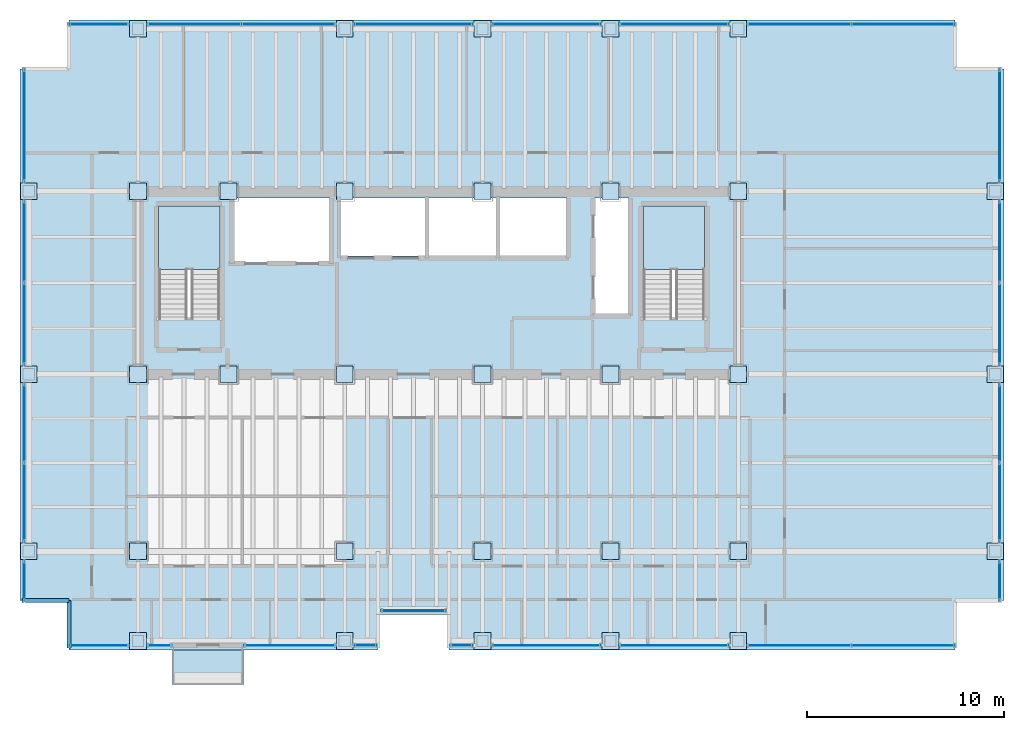
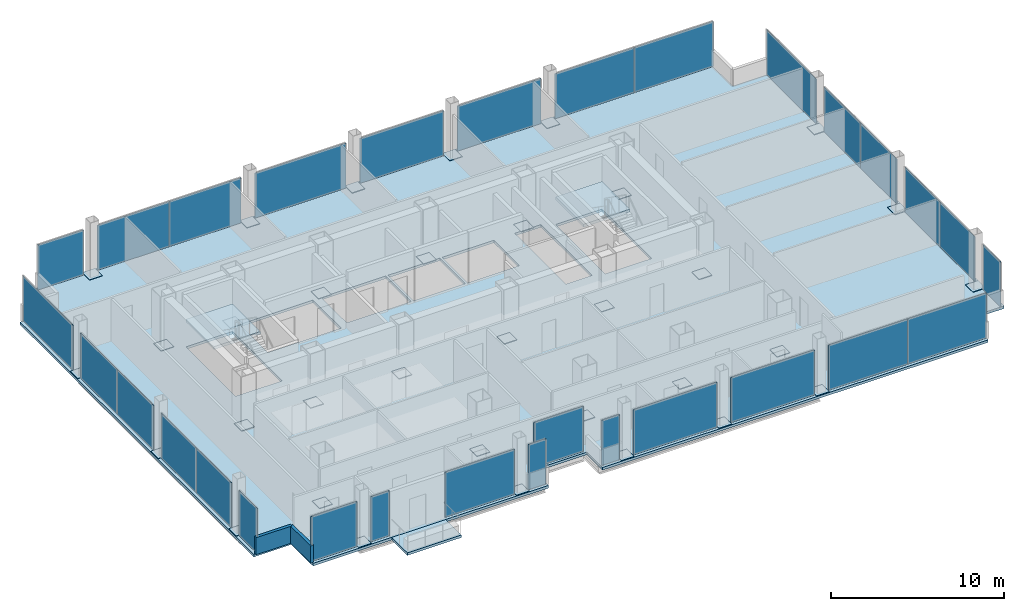
# One storey, part 16 of 20: 63 plates, 4 slabs, 2 walls, 7 openings, 25 elements without a shape of their own.
"""IFC4 building model written with IfcOpenShell, lengths in metres."""

from ifc_helpers import new_model, si_unit, direction, frame, frame_2d, origin, origin_2d, place, context, subcontext, project, spatial, polyline, rectangle, outline, extrude, material, layer, layer_set, type_object, element, aggregate, save


model = new_model("IFC4")

# Units and contexts
model_context = context("Model", 3, precision=1e-05, world=origin(), true_north=direction((0.0, 1.0)))
body_context = subcontext(model_context, "Body", "Model", "MODEL_VIEW")
ifc_project = project(units=[si_unit("LENGTHUNIT", "METRE"), si_unit("AREAUNIT", "SQUARE_METRE"), si_unit("VOLUMEUNIT", "CUBIC_METRE"), si_unit("PLANEANGLEUNIT", "RADIAN"), si_unit("MASSUNIT", "GRAM", prefix="KILO")], contexts=[model_context])

# Site, building, storey
site_placement = place(None, origin())
site = spatial("IfcSite", under=ifc_project, at=site_placement, CompositionType="ELEMENT")
building_placement = place(site_placement, origin())
building = spatial("IfcBuilding", under=site, at=building_placement, Name="Noeulbin Bourse Tower", CompositionType="ELEMENT")
storey_placement = place(building_placement, frame((0.0, 0.0, 73.300048828125)))
storey = spatial("IfcBuildingStorey", under=building, at=storey_placement, Name="L18", CompositionType="ELEMENT", Elevation=73.300048828125)

# Curtain wall, plate
ifc_material_1 = material(Name="Dark Solar-Control Double Glazing", Category="glass")
curtain_wall_type = type_object("IfcCurtainWallType", Name="CW-SYS-2", PredefinedType="NOTDEFINED", material=ifc_material_1)
curtain_wall_1_placement = place(storey_placement, origin())
curtain_wall_1 = element("IfcCurtainWall", 1, at=curtain_wall_1_placement, inside=storey, type_object=curtain_wall_type, Name="Unitised Curtain Wall CW-L18-SREC", PredefinedType="NOTDEFINED")
ifc_layer_1 = layer(ifc_material_1, 0.035888671875)
ifc_layer_set_1 = layer_set([ifc_layer_1], Name="Dark Solar-Control Double Glazing")
plate_type_1 = type_object("IfcPlateType", Name="CW-SYS-2-PNL", PredefinedType="CURTAIN_PANEL", material=ifc_layer_set_1)
plate_1_placement = place(storey_placement, frame((27.5, 16.97998046875, 0.0), z_axis=(0.0, 0.0, 1.0), x_axis=(1.0, 0.0, 0.0)))
plate_1 = element("IfcPlate", 2, at=plate_1_placement, type_object=plate_type_1, Name="Glazed Curtain Panel CW-L18-SREC-P00", PredefinedType="CURTAIN_PANEL", context=body_context, shape_type="SweptSolid", body=[
    extrude(rectangle(XDim=3.300048828125, YDim=0.035888671875, at=origin_2d()), origin(), (0.0, 0.0, 1.0), 3.179931640625),
])
aggregate(curtain_wall_1, [plate_1])

curtain_wall_2_placement = place(storey_placement, origin())
curtain_wall_2 = element("IfcCurtainWall", 3, at=curtain_wall_2_placement, inside=storey, type_object=curtain_wall_type, Name="Unitised Curtain Wall CW-L18-S1-S1", PredefinedType="NOTDEFINED")
plate_2_placement = place(storey_placement, frame((11.510009765625, 15.219970703125, 0.0), z_axis=(0.0, 0.0, 1.0), x_axis=(1.0, 0.0, 0.0)))
plate_2 = element("IfcPlate", 4, at=plate_2_placement, type_object=plate_type_1, Name="Glazed Curtain Panel CW-L18-S1-S1-P00", PredefinedType="CURTAIN_PANEL", context=body_context, shape_type="SweptSolid", body=[
    extrude(rectangle(XDim=3.06005859375, YDim=0.035888671875, at=origin_2d()), origin(), (0.0, 0.0, 1.0), 3.179931640625),
])
aggregate(curtain_wall_2, [plate_2])

curtain_wall_3_placement = place(storey_placement, origin())
curtain_wall_3 = element("IfcCurtainWall", 5, at=curtain_wall_3_placement, inside=storey, type_object=curtain_wall_type, Name="Unitised Curtain Wall CW-L18-S1-S2", PredefinedType="NOTDEFINED")
plate_3_placement = place(storey_placement, frame((14.580078125, 15.219970703125, 0.0), z_axis=(0.0, 0.0, 1.0), x_axis=(1.0, 0.0, 0.0)))
plate_3 = element("IfcPlate", 6, at=plate_3_placement, type_object=plate_type_1, Name="Glazed Curtain Panel CW-L18-S1-S2-P00", PredefinedType="CURTAIN_PANEL", context=body_context, shape_type="SweptSolid", body=[
    extrude(rectangle(XDim=1.239990234375, YDim=0.035888671875, at=origin_2d()), origin(), (0.0, 0.0, 1.0), 3.179931640625),
])
aggregate(curtain_wall_3, [plate_3])

curtain_wall_4_placement = place(storey_placement, origin())
curtain_wall_4 = element("IfcCurtainWall", 7, at=curtain_wall_4_placement, inside=storey, type_object=curtain_wall_type, Name="Unitised Curtain Wall CW-L18-S2-S1", PredefinedType="NOTDEFINED")
plate_4_placement = place(storey_placement, frame((21.219970703125, 15.219970703125, 0.0), z_axis=(0.0, 0.0, 1.0), x_axis=(1.0, 0.0, 0.0)))
plate_4 = element("IfcPlate", 8, at=plate_4_placement, type_object=plate_type_1, Name="Glazed Curtain Panel CW-L18-S2-S1-P00", PredefinedType="CURTAIN_PANEL", context=body_context, shape_type="SweptSolid", body=[
    extrude(rectangle(XDim=4.639892578125, YDim=0.035888671875, at=origin_2d()), origin(), (0.0, 0.0, 1.0), 3.179931640625),
])
aggregate(curtain_wall_4, [plate_4])

curtain_wall_5_placement = place(storey_placement, origin())
curtain_wall_5 = element("IfcCurtainWall", 9, at=curtain_wall_5_placement, inside=storey, type_object=curtain_wall_type, Name="Unitised Curtain Wall CW-L18-S2-S2", PredefinedType="NOTDEFINED")
plate_5_placement = place(storey_placement, frame((25.054931640625, 15.219970703125, 0.0), z_axis=(0.0, 0.0, 1.0), x_axis=(1.0, 0.0, 0.0)))
plate_5 = element("IfcPlate", 10, at=plate_5_placement, type_object=plate_type_1, Name="Glazed Curtain Panel CW-L18-S2-S2-P00", PredefinedType="CURTAIN_PANEL", context=body_context, shape_type="SweptSolid", body=[
    extrude(rectangle(XDim=1.18994140625, YDim=0.035888671875, at=origin_2d()), origin(), (0.0, 0.0, 1.0), 3.179931640625),
])
aggregate(curtain_wall_5, [plate_5])

curtain_wall_6_placement = place(storey_placement, origin())
curtain_wall_6 = element("IfcCurtainWall", 11, at=curtain_wall_6_placement, inside=storey, type_object=curtain_wall_type, Name="Unitised Curtain Wall CW-L18-S3-S1", PredefinedType="NOTDEFINED")
plate_6_placement = place(storey_placement, frame((29.945068359375, 15.219970703125, 0.0), z_axis=(0.0, 0.0, 1.0), x_axis=(1.0, 0.0, 0.0)))
plate_6 = element("IfcPlate", 12, at=plate_6_placement, type_object=plate_type_1, Name="Glazed Curtain Panel CW-L18-S3-S1-P00", PredefinedType="CURTAIN_PANEL", context=body_context, shape_type="SweptSolid", body=[
    extrude(rectangle(XDim=1.18994140625, YDim=0.035888671875, at=origin_2d()), origin(), (0.0, 0.0, 1.0), 3.179931640625),
])
aggregate(curtain_wall_6, [plate_6])

curtain_wall_7_placement = place(storey_placement, origin())
curtain_wall_7 = element("IfcCurtainWall", 13, at=curtain_wall_7_placement, inside=storey, type_object=curtain_wall_type, Name="Unitised Curtain Wall CW-L18-S3-S2", PredefinedType="NOTDEFINED")
plate_7_placement = place(storey_placement, frame((34.25, 15.219970703125, 0.0), z_axis=(0.0, 0.0, 1.0), x_axis=(1.0, 0.0, 0.0)))
plate_7 = element("IfcPlate", 14, at=plate_7_placement, type_object=plate_type_1, Name="Glazed Curtain Panel CW-L18-S3-S2-P00", PredefinedType="CURTAIN_PANEL", context=body_context, shape_type="SweptSolid", body=[
    extrude(rectangle(XDim=5.580078125, YDim=0.035888671875, at=origin_2d()), origin(), (0.0, 0.0, 1.0), 3.179931640625),
])
aggregate(curtain_wall_7, [plate_7])

curtain_wall_8_placement = place(storey_placement, origin())
curtain_wall_8 = element("IfcCurtainWall", 15, at=curtain_wall_8_placement, inside=storey, type_object=curtain_wall_type, Name="Unitised Curtain Wall CW-L18-S3-S3", PredefinedType="NOTDEFINED")
plate_8_placement = place(storey_placement, frame((40.75, 15.219970703125, 0.0), z_axis=(0.0, 0.0, 1.0), x_axis=(1.0, 0.0, 0.0)))
plate_8 = element("IfcPlate", 16, at=plate_8_placement, type_object=plate_type_1, Name="Glazed Curtain Panel CW-L18-S3-S3-P00", PredefinedType="CURTAIN_PANEL", context=body_context, shape_type="SweptSolid", body=[
    extrude(rectangle(XDim=5.580078125, YDim=0.035888671875, at=origin_2d()), origin(), (0.0, 0.0, 1.0), 3.179931640625),
])
aggregate(curtain_wall_8, [plate_8])

# Curtain wall, plates
curtain_wall_9_placement = place(storey_placement, origin())
curtain_wall_9 = element("IfcCurtainWall", 17, at=curtain_wall_9_placement, inside=storey, type_object=curtain_wall_type, Name="Unitised Curtain Wall CW-L18-S3-S4", PredefinedType="NOTDEFINED")
plate_9_placement = place(storey_placement, frame((47.10009765625, 15.219970703125, 0.0), z_axis=(0.0, 0.0, 1.0), x_axis=(1.0, 0.0, 0.0)))
plate_9 = element("IfcPlate", 18, at=plate_9_placement, type_object=plate_type_1, Name="Glazed Curtain Panel CW-L18-S3-S4-P00", PredefinedType="CURTAIN_PANEL", context=body_context, shape_type="SweptSolid", body=[
    extrude(rectangle(XDim=5.280029296875, YDim=0.035888671875, at=origin_2d()), origin(), (0.0, 0.0, 1.0), 3.179931640625),
])
plate_10_placement = place(storey_placement, frame((52.3798828125, 15.219970703125, 0.0), z_axis=(0.0, 0.0, 1.0), x_axis=(1.0, 0.0, 0.0)))
plate_10 = element("IfcPlate", 19, at=plate_10_placement, type_object=plate_type_1, Name="Glazed Curtain Panel CW-L18-S3-S4-P01", PredefinedType="CURTAIN_PANEL", context=body_context, shape_type="SweptSolid", body=[
    extrude(rectangle(XDim=5.280029296875, YDim=0.035888671875, at=origin_2d()), origin(), (0.0, 0.0, 1.0), 3.179931640625),
])
aggregate(curtain_wall_9, [plate_9, plate_10])

# Curtain wall, plate
curtain_wall_10_placement = place(storey_placement, origin())
curtain_wall_10 = element("IfcCurtainWall", 20, at=curtain_wall_10_placement, inside=storey, type_object=curtain_wall_type, Name="Unitised Curtain Wall CW-L18-N-S1", PredefinedType="NOTDEFINED")
plate_11_placement = place(storey_placement, frame((11.510009765625, 46.780029296875, 0.0), z_axis=(0.0, 0.0, 1.0), x_axis=(1.0, 0.0, 0.0)))
plate_11 = element("IfcPlate", 21, at=plate_11_placement, type_object=plate_type_1, Name="Glazed Curtain Panel CW-L18-N-S1-P00", PredefinedType="CURTAIN_PANEL", context=body_context, shape_type="SweptSolid", body=[
    extrude(rectangle(XDim=3.06005859375, YDim=0.035888671875, at=origin_2d()), origin(), (0.0, 0.0, 1.0), 3.179931640625),
])
aggregate(curtain_wall_10, [plate_11])

# Curtain wall, plates
curtain_wall_11_placement = place(storey_placement, origin())
curtain_wall_11 = element("IfcCurtainWall", 22, at=curtain_wall_11_placement, inside=storey, type_object=curtain_wall_type, Name="Unitised Curtain Wall CW-L18-N-S2", PredefinedType="NOTDEFINED")
plate_12_placement = place(storey_placement, frame((16.35498046875, 46.780029296875, 0.0), z_axis=(0.0, 0.0, 1.0), x_axis=(1.0, 0.0, 0.0)))
plate_12 = element("IfcPlate", 23, at=plate_12_placement, type_object=plate_type_1, Name="Glazed Curtain Panel CW-L18-N-S2-P00", PredefinedType="CURTAIN_PANEL", context=body_context, shape_type="SweptSolid", body=[
    extrude(rectangle(XDim=4.7900390625, YDim=0.035888671875, at=origin_2d()), origin(), (0.0, 0.0, 1.0), 3.179931640625),
])
plate_13_placement = place(storey_placement, frame((21.14501953125, 46.780029296875, 0.0), z_axis=(0.0, 0.0, 1.0), x_axis=(1.0, 0.0, 0.0)))
plate_13 = element("IfcPlate", 24, at=plate_13_placement, type_object=plate_type_1, Name="Glazed Curtain Panel CW-L18-N-S2-P01", PredefinedType="CURTAIN_PANEL", context=body_context, shape_type="SweptSolid", body=[
    extrude(rectangle(XDim=4.7900390625, YDim=0.035888671875, at=origin_2d()), origin(), (0.0, 0.0, 1.0), 3.179931640625),
])
aggregate(curtain_wall_11, [plate_12, plate_13])

# Curtain wall, plate
curtain_wall_12_placement = place(storey_placement, origin())
curtain_wall_12 = element("IfcCurtainWall", 25, at=curtain_wall_12_placement, inside=storey, type_object=curtain_wall_type, Name="Unitised Curtain Wall CW-L18-N-S3", PredefinedType="NOTDEFINED")
plate_14_placement = place(storey_placement, frame((27.5, 46.780029296875, 0.0), z_axis=(0.0, 0.0, 1.0), x_axis=(1.0, 0.0, 0.0)))
plate_14 = element("IfcPlate", 26, at=plate_14_placement, type_object=plate_type_1, Name="Glazed Curtain Panel CW-L18-N-S3-P00", PredefinedType="CURTAIN_PANEL", context=body_context, shape_type="SweptSolid", body=[
    extrude(rectangle(XDim=6.080078125, YDim=0.035888671875, at=origin_2d()), origin(), (0.0, 0.0, 1.0), 3.179931640625),
])
aggregate(curtain_wall_12, [plate_14])

curtain_wall_13_placement = place(storey_placement, origin())
curtain_wall_13 = element("IfcCurtainWall", 27, at=curtain_wall_13_placement, inside=storey, type_object=curtain_wall_type, Name="Unitised Curtain Wall CW-L18-N-S4", PredefinedType="NOTDEFINED")
plate_15_placement = place(storey_placement, frame((34.25, 46.780029296875, 0.0), z_axis=(0.0, 0.0, 1.0), x_axis=(1.0, 0.0, 0.0)))
plate_15 = element("IfcPlate", 28, at=plate_15_placement, type_object=plate_type_1, Name="Glazed Curtain Panel CW-L18-N-S4-P00", PredefinedType="CURTAIN_PANEL", context=body_context, shape_type="SweptSolid", body=[
    extrude(rectangle(XDim=5.580078125, YDim=0.035888671875, at=origin_2d()), origin(), (0.0, 0.0, 1.0), 3.179931640625),
])
aggregate(curtain_wall_13, [plate_15])

curtain_wall_14_placement = place(storey_placement, origin())
curtain_wall_14 = element("IfcCurtainWall", 29, at=curtain_wall_14_placement, inside=storey, type_object=curtain_wall_type, Name="Unitised Curtain Wall CW-L18-N-S5", PredefinedType="NOTDEFINED")
plate_16_placement = place(storey_placement, frame((40.75, 46.780029296875, 0.0), z_axis=(0.0, 0.0, 1.0), x_axis=(1.0, 0.0, 0.0)))
plate_16 = element("IfcPlate", 30, at=plate_16_placement, type_object=plate_type_1, Name="Glazed Curtain Panel CW-L18-N-S5-P00", PredefinedType="CURTAIN_PANEL", context=body_context, shape_type="SweptSolid", body=[
    extrude(rectangle(XDim=5.580078125, YDim=0.035888671875, at=origin_2d()), origin(), (0.0, 0.0, 1.0), 3.179931640625),
])
aggregate(curtain_wall_14, [plate_16])

# Curtain wall, plates
curtain_wall_15_placement = place(storey_placement, origin())
curtain_wall_15 = element("IfcCurtainWall", 31, at=curtain_wall_15_placement, inside=storey, type_object=curtain_wall_type, Name="Unitised Curtain Wall CW-L18-N-S6", PredefinedType="NOTDEFINED")
plate_17_placement = place(storey_placement, frame((47.10009765625, 46.780029296875, 0.0), z_axis=(0.0, 0.0, 1.0), x_axis=(1.0, 0.0, 0.0)))
plate_17 = element("IfcPlate", 32, at=plate_17_placement, type_object=plate_type_1, Name="Glazed Curtain Panel CW-L18-N-S6-P00", PredefinedType="CURTAIN_PANEL", context=body_context, shape_type="SweptSolid", body=[
    extrude(rectangle(XDim=5.280029296875, YDim=0.035888671875, at=origin_2d()), origin(), (0.0, 0.0, 1.0), 3.179931640625),
])
plate_18_placement = place(storey_placement, frame((52.3798828125, 46.780029296875, 0.0), z_axis=(0.0, 0.0, 1.0), x_axis=(1.0, 0.0, 0.0)))
plate_18 = element("IfcPlate", 33, at=plate_18_placement, type_object=plate_type_1, Name="Glazed Curtain Panel CW-L18-N-S6-P01", PredefinedType="CURTAIN_PANEL", context=body_context, shape_type="SweptSolid", body=[
    extrude(rectangle(XDim=5.280029296875, YDim=0.035888671875, at=origin_2d()), origin(), (0.0, 0.0, 1.0), 3.179931640625),
])
aggregate(curtain_wall_15, [plate_17, plate_18])

# Curtain wall, plate
curtain_wall_16_placement = place(storey_placement, origin())
curtain_wall_16 = element("IfcCurtainWall", 34, at=curtain_wall_16_placement, inside=storey, type_object=curtain_wall_type, Name="Unitised Curtain Wall CW-L18-W-S1", PredefinedType="NOTDEFINED")
plate_19_placement = place(storey_placement, frame((7.719970703125, 18.510009765625, 0.0), z_axis=(0.0, 0.0, 1.0), x_axis=(0.0, 1.0, 0.0)))
plate_19 = element("IfcPlate", 35, at=plate_19_placement, type_object=plate_type_1, Name="Glazed Curtain Panel CW-L18-W-S1-P00", PredefinedType="CURTAIN_PANEL", context=body_context, shape_type="SweptSolid", body=[
    extrude(rectangle(XDim=2.06005859375, YDim=0.035888671875, at=origin_2d()), origin(), (0.0, 0.0, 1.0), 3.179931640625),
])
aggregate(curtain_wall_16, [plate_19])

# Curtain wall, plates
curtain_wall_17_placement = place(storey_placement, origin())
curtain_wall_17 = element("IfcCurtainWall", 36, at=curtain_wall_17_placement, inside=storey, type_object=curtain_wall_type, Name="Unitised Curtain Wall CW-L18-W-S2", PredefinedType="NOTDEFINED")
plate_20_placement = place(storey_placement, frame((7.719970703125, 22.47998046875, 0.0), z_axis=(0.0, 0.0, 1.0), x_axis=(0.0, 1.0, 0.0)))
plate_20 = element("IfcPlate", 37, at=plate_20_placement, type_object=plate_type_1, Name="Glazed Curtain Panel CW-L18-W-S2-P00", PredefinedType="CURTAIN_PANEL", context=body_context, shape_type="SweptSolid", body=[
    extrude(rectangle(XDim=4.0400390625, YDim=0.035888671875, at=origin_2d()), origin(), (0.0, 0.0, 1.0), 3.179931640625),
])
plate_21_placement = place(storey_placement, frame((7.719970703125, 26.52001953125, 0.0), z_axis=(0.0, 0.0, 1.0), x_axis=(0.0, 1.0, 0.0)))
plate_21 = element("IfcPlate", 38, at=plate_21_placement, type_object=plate_type_1, Name="Glazed Curtain Panel CW-L18-W-S2-P01", PredefinedType="CURTAIN_PANEL", context=body_context, shape_type="SweptSolid", body=[
    extrude(rectangle(XDim=4.0400390625, YDim=0.035888671875, at=origin_2d()), origin(), (0.0, 0.0, 1.0), 3.179931640625),
])
aggregate(curtain_wall_17, [plate_20, plate_21])

curtain_wall_18_placement = place(storey_placement, origin())
curtain_wall_18 = element("IfcCurtainWall", 39, at=curtain_wall_18_placement, inside=storey, type_object=curtain_wall_type, Name="Unitised Curtain Wall CW-L18-W-S3", PredefinedType="NOTDEFINED")
plate_22_placement = place(storey_placement, frame((7.719970703125, 31.554931640625, 0.0), z_axis=(0.0, 0.0, 1.0), x_axis=(0.0, 1.0, 0.0)))
plate_22 = element("IfcPlate", 40, at=plate_22_placement, type_object=plate_type_1, Name="Glazed Curtain Panel CW-L18-W-S3-P00", PredefinedType="CURTAIN_PANEL", context=body_context, shape_type="SweptSolid", body=[
    extrude(rectangle(XDim=4.18994140625, YDim=0.035888671875, at=origin_2d()), origin(), (0.0, 0.0, 1.0), 3.179931640625),
])
plate_23_placement = place(storey_placement, frame((7.719970703125, 35.7451171875, 0.0), z_axis=(0.0, 0.0, 1.0), x_axis=(0.0, 1.0, 0.0)))
plate_23 = element("IfcPlate", 41, at=plate_23_placement, type_object=plate_type_1, Name="Glazed Curtain Panel CW-L18-W-S3-P01", PredefinedType="CURTAIN_PANEL", context=body_context, shape_type="SweptSolid", body=[
    extrude(rectangle(XDim=4.18994140625, YDim=0.035888671875, at=origin_2d()), origin(), (0.0, 0.0, 1.0), 3.179931640625),
])
aggregate(curtain_wall_18, [plate_22, plate_23])

# Curtain wall, plate
curtain_wall_19_placement = place(storey_placement, origin())
curtain_wall_19 = element("IfcCurtainWall", 42, at=curtain_wall_19_placement, inside=storey, type_object=curtain_wall_type, Name="Unitised Curtain Wall CW-L18-W-S4", PredefinedType="NOTDEFINED")
plate_24_placement = place(storey_placement, frame((7.719970703125, 41.639892578125, 0.0), z_axis=(0.0, 0.0, 1.0), x_axis=(0.0, 1.0, 0.0)))
plate_24 = element("IfcPlate", 43, at=plate_24_placement, type_object=plate_type_1, Name="Glazed Curtain Panel CW-L18-W-S4-P00", PredefinedType="CURTAIN_PANEL", context=body_context, shape_type="SweptSolid", body=[
    extrude(rectangle(XDim=5.760009765625, YDim=0.035888671875, at=origin_2d()), origin(), (0.0, 0.0, 1.0), 3.179931640625),
])
aggregate(curtain_wall_19, [plate_24])

curtain_wall_20_placement = place(storey_placement, origin())
curtain_wall_20 = element("IfcCurtainWall", 44, at=curtain_wall_20_placement, inside=storey, type_object=curtain_wall_type, Name="Unitised Curtain Wall CW-L18-E-S1", PredefinedType="NOTDEFINED")
plate_25_placement = place(storey_placement, frame((57.280029296875, 18.510009765625, 0.0), z_axis=(0.0, 0.0, 1.0), x_axis=(0.0, 1.0, 0.0)))
plate_25 = element("IfcPlate", 45, at=plate_25_placement, type_object=plate_type_1, Name="Glazed Curtain Panel CW-L18-E-S1-P00", PredefinedType="CURTAIN_PANEL", context=body_context, shape_type="SweptSolid", body=[
    extrude(rectangle(XDim=2.06005859375, YDim=0.035888671875, at=origin_2d()), origin(), (0.0, 0.0, 1.0), 3.179931640625),
])
aggregate(curtain_wall_20, [plate_25])

# Curtain wall, plates
curtain_wall_21_placement = place(storey_placement, origin())
curtain_wall_21 = element("IfcCurtainWall", 46, at=curtain_wall_21_placement, inside=storey, type_object=curtain_wall_type, Name="Unitised Curtain Wall CW-L18-E-S2", PredefinedType="NOTDEFINED")
plate_26_placement = place(storey_placement, frame((57.280029296875, 22.47998046875, 0.0), z_axis=(0.0, 0.0, 1.0), x_axis=(0.0, 1.0, 0.0)))
plate_26 = element("IfcPlate", 47, at=plate_26_placement, type_object=plate_type_1, Name="Glazed Curtain Panel CW-L18-E-S2-P00", PredefinedType="CURTAIN_PANEL", context=body_context, shape_type="SweptSolid", body=[
    extrude(rectangle(XDim=4.0400390625, YDim=0.035888671875, at=origin_2d()), origin(), (0.0, 0.0, 1.0), 3.179931640625),
])
plate_27_placement = place(storey_placement, frame((57.280029296875, 26.52001953125, 0.0), z_axis=(0.0, 0.0, 1.0), x_axis=(0.0, 1.0, 0.0)))
plate_27 = element("IfcPlate", 48, at=plate_27_placement, type_object=plate_type_1, Name="Glazed Curtain Panel CW-L18-E-S2-P01", PredefinedType="CURTAIN_PANEL", context=body_context, shape_type="SweptSolid", body=[
    extrude(rectangle(XDim=4.0400390625, YDim=0.035888671875, at=origin_2d()), origin(), (0.0, 0.0, 1.0), 3.179931640625),
])
aggregate(curtain_wall_21, [plate_26, plate_27])

curtain_wall_22_placement = place(storey_placement, origin())
curtain_wall_22 = element("IfcCurtainWall", 49, at=curtain_wall_22_placement, inside=storey, type_object=curtain_wall_type, Name="Unitised Curtain Wall CW-L18-E-S3", PredefinedType="NOTDEFINED")
plate_28_placement = place(storey_placement, frame((57.280029296875, 31.554931640625, 0.0), z_axis=(0.0, 0.0, 1.0), x_axis=(0.0, 1.0, 0.0)))
plate_28 = element("IfcPlate", 50, at=plate_28_placement, type_object=plate_type_1, Name="Glazed Curtain Panel CW-L18-E-S3-P00", PredefinedType="CURTAIN_PANEL", context=body_context, shape_type="SweptSolid", body=[
    extrude(rectangle(XDim=4.18994140625, YDim=0.035888671875, at=origin_2d()), origin(), (0.0, 0.0, 1.0), 3.179931640625),
])
plate_29_placement = place(storey_placement, frame((57.280029296875, 35.7451171875, 0.0), z_axis=(0.0, 0.0, 1.0), x_axis=(0.0, 1.0, 0.0)))
plate_29 = element("IfcPlate", 51, at=plate_29_placement, type_object=plate_type_1, Name="Glazed Curtain Panel CW-L18-E-S3-P01", PredefinedType="CURTAIN_PANEL", context=body_context, shape_type="SweptSolid", body=[
    extrude(rectangle(XDim=4.18994140625, YDim=0.035888671875, at=origin_2d()), origin(), (0.0, 0.0, 1.0), 3.179931640625),
])
aggregate(curtain_wall_22, [plate_28, plate_29])

# Curtain wall, plate
curtain_wall_23_placement = place(storey_placement, origin())
curtain_wall_23 = element("IfcCurtainWall", 52, at=curtain_wall_23_placement, inside=storey, type_object=curtain_wall_type, Name="Unitised Curtain Wall CW-L18-E-S4", PredefinedType="NOTDEFINED")
plate_30_placement = place(storey_placement, frame((57.280029296875, 41.639892578125, 0.0), z_axis=(0.0, 0.0, 1.0), x_axis=(0.0, 1.0, 0.0)))
plate_30 = element("IfcPlate", 53, at=plate_30_placement, type_object=plate_type_1, Name="Glazed Curtain Panel CW-L18-E-S4-P00", PredefinedType="CURTAIN_PANEL", context=body_context, shape_type="SweptSolid", body=[
    extrude(rectangle(XDim=5.760009765625, YDim=0.035888671875, at=origin_2d()), origin(), (0.0, 0.0, 1.0), 3.179931640625),
])
aggregate(curtain_wall_23, [plate_30])

# Plates
ifc_material_2 = material(Name="Steel S355", Category="steel")
ifc_layer_2 = layer(ifc_material_2, 0.030029296875)
ifc_layer_set_2 = layer_set([ifc_layer_2], Name="Steel S355")
plate_type_2 = type_object("IfcPlateType", Name="PLT-BN1", PredefinedType="USERDEFINED", material=ifc_layer_set_2)
for number, where, z_axis, x_axis, name in (
    (54, (13.5, 29.0, 0.0048828125), (0.0, 0.0, 1.0), (1.0, 0.0, 0.0), "Mega-Column Splice Plate BN1-L18-01"),
    (55, (13.5, 38.300048828125, 0.0048828125), (0.0, 0.0, 1.0), (1.0, 0.0, 0.0), "Mega-Column Splice Plate BN1-L18-02"),
    (56, (18.10009765625, 29.0, 0.0048828125), (0.0, 0.0, 1.0), (1.0, 0.0, 0.0), "Mega-Column Splice Plate BN1-L18-03"),
    (57, (18.10009765625, 38.300048828125, 0.0048828125), (0.0, 0.0, 1.0), (1.0, 0.0, 0.0), "Mega-Column Splice Plate BN1-L18-04"),
    (58, (24.0, 29.0, 0.0048828125), (0.0, 0.0, 1.0), (1.0, 0.0, 0.0), "Mega-Column Splice Plate BN1-L18-05"),
    (59, (24.0, 38.300048828125, 0.0048828125), (0.0, 0.0, 1.0), (1.0, 0.0, 0.0), "Mega-Column Splice Plate BN1-L18-06"),
    (60, (31.0, 29.0, 0.0048828125), (0.0, 0.0, 1.0), (1.0, 0.0, 0.0), "Mega-Column Splice Plate BN1-L18-07"),
    (61, (31.0, 38.300048828125, 0.0048828125), (0.0, 0.0, 1.0), (1.0, 0.0, 0.0), "Mega-Column Splice Plate BN1-L18-08"),
    (62, (37.5, 29.0, 0.0048828125), (0.0, 0.0, 1.0), (1.0, 0.0, 0.0), "Mega-Column Splice Plate BN1-L18-09"),
    (63, (37.5, 38.300048828125, 0.0048828125), (0.0, 0.0, 1.0), (1.0, 0.0, 0.0), "Mega-Column Splice Plate BN1-L18-10"),
    (64, (44.0, 29.0, 0.0048828125), (0.0, 0.0, 1.0), (1.0, 0.0, 0.0), "Mega-Column Splice Plate BN1-L18-11"),
    (65, (44.0, 38.300048828125, 0.0048828125), (0.0, 0.0, 1.0), (1.0, 0.0, 0.0), "Mega-Column Splice Plate BN1-L18-12"),
    (66, (13.5, 20.0, 0.0048828125), (0.0, 0.0, 1.0), (1.0, 0.0, 0.0), "Mega-Column Splice Plate BN1-L18-13"),
    (67, (24.0, 20.0, 0.0048828125), (0.0, 0.0, 1.0), (1.0, 0.0, 0.0), "Mega-Column Splice Plate BN1-L18-14"),
    (68, (31.0, 20.0, 0.0048828125), (0.0, 0.0, 1.0), (1.0, 0.0, 0.0), "Mega-Column Splice Plate BN1-L18-15"),
    (69, (37.5, 20.0, 0.0048828125), (0.0, 0.0, 1.0), (1.0, 0.0, 0.0), "Mega-Column Splice Plate BN1-L18-16"),
    (70, (44.0, 20.0, 0.0048828125), (0.0, 0.0, 1.0), (1.0, 0.0, 0.0), "Mega-Column Splice Plate BN1-L18-17"),
    (71, (7.949951171875, 20.0, 0.0048828125), (0.0, 0.0, 1.0), (1.0, 0.0, 0.0), "Perimeter Column Splice Plate BN1-L18-01"),
    (72, (7.949951171875, 29.0, 0.0048828125), (0.0, 0.0, 1.0), (1.0, 0.0, 0.0), "Perimeter Column Splice Plate BN1-L18-02"),
    (73, (7.949951171875, 38.300048828125, 0.0048828125), (0.0, 0.0, 1.0), (1.0, 0.0, 0.0), "Perimeter Column Splice Plate BN1-L18-03"),
    (74, (13.5, 15.449951171875, 0.0048828125), (0.0, 0.0, 1.0), (1.0, 0.0, 0.0), "Perimeter Column Splice Plate BN1-L18-04"),
    (75, (13.5, 46.550048828125, 0.0048828125), (0.0, 0.0, 1.0), (1.0, 0.0, 0.0), "Perimeter Column Splice Plate BN1-L18-05"),
    (76, (24.0, 15.449951171875, 0.0048828125), (0.0, 0.0, 1.0), (1.0, 0.0, 0.0), "Perimeter Column Splice Plate BN1-L18-06"),
    (77, (24.0, 46.550048828125, 0.0048828125), (0.0, 0.0, 1.0), (1.0, 0.0, 0.0), "Perimeter Column Splice Plate BN1-L18-07"),
    (78, (31.0, 15.449951171875, 0.0048828125), (0.0, 0.0, 1.0), (1.0, 0.0, 0.0), "Perimeter Column Splice Plate BN1-L18-08"),
    (79, (31.0, 46.550048828125, 0.0048828125), (0.0, 0.0, 1.0), (1.0, 0.0, 0.0), "Perimeter Column Splice Plate BN1-L18-09"),
    (80, (37.5, 15.449951171875, 0.0048828125), (0.0, 0.0, 1.0), (1.0, 0.0, 0.0), "Perimeter Column Splice Plate BN1-L18-10"),
    (81, (37.5, 46.550048828125, 0.0048828125), (0.0, 0.0, 1.0), (1.0, 0.0, 0.0), "Perimeter Column Splice Plate BN1-L18-11"),
    (82, (44.0, 15.449951171875, 0.0048828125), (0.0, 0.0, 1.0), (1.0, 0.0, 0.0), "Perimeter Column Splice Plate BN1-L18-12"),
    (83, (44.0, 46.550048828125, 0.0048828125), (0.0, 0.0, 1.0), (1.0, 0.0, 0.0), "Perimeter Column Splice Plate BN1-L18-13"),
    (84, (57.050048828125, 20.0, 0.0048828125), (0.0, 0.0, 1.0), (1.0, 0.0, 0.0), "Perimeter Column Splice Plate BN1-L18-14"),
    (85, (57.050048828125, 29.0, 0.0048828125), (0.0, 0.0, 1.0), (1.0, 0.0, 0.0), "Perimeter Column Splice Plate BN1-L18-15"),
    (86, (57.050048828125, 38.300048828125, 0.0048828125), (0.0, 0.0, 1.0), (1.0, 0.0, 0.0), "Perimeter Column Splice Plate BN1-L18-16"),
):
    element("IfcPlate", number, at=place(storey_placement, frame(where, z_axis=z_axis, x_axis=x_axis)), inside=storey, type_object=plate_type_2, Name=name, ObjectType="SPLICE PLATE", PredefinedType="USERDEFINED", context=body_context, shape_type="SweptSolid", body=[
        extrude(rectangle(XDim=0.85009765625, YDim=0.85009765625, at=origin_2d()), origin(), (0.0, 0.0, 1.0), 0.030029296875),
    ])

# Stair, slab
ifc_material_3 = material(Name="Concrete C40/50", Category="concrete")
stair_type = type_object("IfcStairType", Name="STR-CORE-1560", PredefinedType="HALF_TURN_STAIR", material=ifc_material_3)
stair_1_placement = place(storey_placement, origin())
stair_1 = element("IfcStair", 87, at=stair_1_placement, inside=storey, type_object=stair_type, Name="L18 ST-1", PredefinedType="HALF_TURN_STAIR")
ifc_layer_3 = layer(ifc_material_3, 0.199951171875)
ifc_layer_set_3 = layer_set([ifc_layer_3], Name="Concrete C40/50")
slab_type_1 = type_object("IfcSlabType", Name="SLB-LND-200", PredefinedType="LANDING", material=ifc_layer_set_3)
slab_1_placement = place(storey_placement, frame((0.0, 0.0, 1.75)))
slab_1 = element("IfcSlab", 88, at=slab_1_placement, type_object=slab_type_1, Name="ST-1 landing 1", PredefinedType="LANDING", context=body_context, shape_type="SweptSolid", body=[
    extrude(outline(polyline([(17.64990234375, 34.330078125), (17.64990234375, 37.5439453125), (14.550048828125, 37.5439453125), (14.550048828125, 34.330078125), (17.64990234375, 34.330078125)])), origin(), (0.0, 0.0, 1.0), 0.199951171875),
])
aggregate(stair_1, [slab_1])

stair_2_placement = place(storey_placement, origin())
stair_2 = element("IfcStair", 89, at=stair_2_placement, inside=storey, type_object=stair_type, Name="L18 ST-2", PredefinedType="HALF_TURN_STAIR")
slab_2_placement = place(storey_placement, frame((0.0, 0.0, 1.75)))
slab_2 = element("IfcSlab", 90, at=slab_2_placement, type_object=slab_type_1, Name="ST-2 landing 1", PredefinedType="LANDING", context=body_context, shape_type="SweptSolid", body=[
    extrude(outline(polyline([(42.280029296875, 34.330078125), (42.280029296875, 37.5439453125), (39.179931640625, 37.5439453125), (39.179931640625, 34.330078125), (42.280029296875, 34.330078125)])), origin(), (0.0, 0.0, 1.0), 0.199951171875),
])
aggregate(stair_2, [slab_2])

# Slab, openings
ifc_layer_4 = layer(ifc_material_3, 0.179931640625)
ifc_layer_set_4 = layer_set([ifc_layer_4], Name="Concrete C40/50")
slab_type_2 = type_object("IfcSlabType", Name="SLB-TYP-180", PredefinedType="FLOOR", material=ifc_layer_set_4)
slab_3_placement = place(storey_placement, frame((0.0, 0.0, -0.179931640625)))
slab_3 = element("IfcSlab", 91, at=slab_3_placement, inside=storey, type_object=slab_type_2, Name="Tower Structural Floor Slab L18", PredefinedType="FLOOR", context=body_context, shape_type="SweptSolid", body=[
    extrude(outline(polyline([(10.0, 15.0), (25.699951171875, 15.0), (25.699951171875, 16.800048828125), (29.300048828125, 16.800048828125), (29.300048828125, 15.0), (55.0, 15.0), (55.0, 17.5), (57.5, 17.5), (57.5, 44.5), (55.0, 44.5), (55.0, 47.0), (10.0, 47.0), (10.0, 44.5), (7.5, 44.5), (7.5, 17.5), (10.0, 17.5), (10.0, 15.0)]), holes=[polyline([(17.64990234375, 31.81005859375), (17.64990234375, 37.5439453125), (14.550048828125, 37.5439453125), (14.550048828125, 31.81005859375), (17.64990234375, 31.81005859375)]), polyline([(42.280029296875, 31.81005859375), (42.280029296875, 37.5439453125), (39.179931640625, 37.5439453125), (39.179931640625, 31.81005859375), (42.280029296875, 31.81005859375)]), polyline([(18.35009765625, 34.699951171875), (23.25, 34.699951171875), (23.25, 37.949951171875), (18.35009765625, 37.949951171875), (18.35009765625, 34.699951171875)]), polyline([(36.699951171875, 32.050048828125), (38.449951171875, 32.050048828125), (38.449951171875, 37.949951171875), (36.699951171875, 37.949951171875), (36.699951171875, 32.050048828125)]), polyline([(23.800048828125, 35.0), (28.10009765625, 35.0), (28.10009765625, 37.949951171875), (23.800048828125, 37.949951171875), (23.800048828125, 35.0)]), polyline([(28.25, 35.0), (31.699951171875, 35.0), (31.699951171875, 37.949951171875), (28.25, 37.949951171875), (28.25, 35.0)]), polyline([(31.85009765625, 35.0), (35.300048828125, 35.0), (35.300048828125, 37.949951171875), (31.85009765625, 37.949951171875), (31.85009765625, 35.0)])]), origin(), (0.0, 0.0, 1.0), 0.179931640625),
])
opening_1_placement = place(slab_3_placement, frame((0.0, 0.0, -0.010009765625)))
element("IfcOpeningElement", 92, at=opening_1_placement, cuts=slab_3, Name="Slab Shaft Opening SLB-L18-TWR-1", PredefinedType="OPENING", context=body_context, shape_type="SweptSolid", body=[
    extrude(outline(polyline([(17.64990234375, 31.81005859375), (17.64990234375, 37.5439453125), (14.550048828125, 37.5439453125), (14.550048828125, 31.81005859375), (17.64990234375, 31.81005859375)])), origin(), (0.0, 0.0, 1.0), 0.199951171875),
])
opening_2_placement = place(slab_3_placement, frame((0.0, 0.0, -0.010009765625)))
element("IfcOpeningElement", 93, at=opening_2_placement, cuts=slab_3, Name="Slab Shaft Opening SLB-L18-TWR-2", PredefinedType="OPENING", context=body_context, shape_type="SweptSolid", body=[
    extrude(outline(polyline([(42.280029296875, 31.81005859375), (42.280029296875, 37.5439453125), (39.179931640625, 37.5439453125), (39.179931640625, 31.81005859375), (42.280029296875, 31.81005859375)])), origin(), (0.0, 0.0, 1.0), 0.199951171875),
])
opening_3_placement = place(slab_3_placement, frame((0.0, 0.0, -0.010009765625)))
element("IfcOpeningElement", 94, at=opening_3_placement, cuts=slab_3, Name="Slab Shaft Opening SLB-L18-TWR-3", PredefinedType="OPENING", context=body_context, shape_type="SweptSolid", body=[
    extrude(outline(polyline([(18.35009765625, 34.699951171875), (23.25, 34.699951171875), (23.25, 37.949951171875), (18.35009765625, 37.949951171875), (18.35009765625, 34.699951171875)])), origin(), (0.0, 0.0, 1.0), 0.199951171875),
])
opening_4_placement = place(slab_3_placement, frame((0.0, 0.0, -0.010009765625)))
element("IfcOpeningElement", 95, at=opening_4_placement, cuts=slab_3, Name="Slab Shaft Opening SLB-L18-TWR-4", PredefinedType="OPENING", context=body_context, shape_type="SweptSolid", body=[
    extrude(outline(polyline([(36.699951171875, 32.050048828125), (38.449951171875, 32.050048828125), (38.449951171875, 37.949951171875), (36.699951171875, 37.949951171875), (36.699951171875, 32.050048828125)])), origin(), (0.0, 0.0, 1.0), 0.199951171875),
])
opening_5_placement = place(slab_3_placement, frame((0.0, 0.0, -0.010009765625)))
element("IfcOpeningElement", 96, at=opening_5_placement, cuts=slab_3, Name="Slab Shaft Opening SLB-L18-TWR-5", PredefinedType="OPENING", context=body_context, shape_type="SweptSolid", body=[
    extrude(outline(polyline([(23.800048828125, 35.0), (28.10009765625, 35.0), (28.10009765625, 37.949951171875), (23.800048828125, 37.949951171875), (23.800048828125, 35.0)])), origin(), (0.0, 0.0, 1.0), 0.199951171875),
])
opening_6_placement = place(slab_3_placement, frame((0.0, 0.0, -0.010009765625)))
element("IfcOpeningElement", 97, at=opening_6_placement, cuts=slab_3, Name="Slab Shaft Opening SLB-L18-TWR-6", PredefinedType="OPENING", context=body_context, shape_type="SweptSolid", body=[
    extrude(outline(polyline([(28.25, 35.0), (31.699951171875, 35.0), (31.699951171875, 37.949951171875), (28.25, 37.949951171875), (28.25, 35.0)])), origin(), (0.0, 0.0, 1.0), 0.199951171875),
])
opening_7_placement = place(slab_3_placement, frame((0.0, 0.0, -0.010009765625)))
element("IfcOpeningElement", 98, at=opening_7_placement, cuts=slab_3, Name="Slab Shaft Opening SLB-L18-TWR-7", PredefinedType="OPENING", context=body_context, shape_type="SweptSolid", body=[
    extrude(outline(polyline([(31.85009765625, 35.0), (35.300048828125, 35.0), (35.300048828125, 37.949951171875), (31.85009765625, 37.949951171875), (31.85009765625, 35.0)])), origin(), (0.0, 0.0, 1.0), 0.199951171875),
])

# Slab
slab_4_placement = place(storey_placement, frame((0.0, 0.0, -0.179931640625)))
element("IfcSlab", 99, at=slab_4_placement, inside=storey, type_object=slab_type_2, Name="Cantilevered Tree-Balcony Slab L18", PredefinedType="FLOOR", context=body_context, shape_type="SweptSolid", body=[
    extrude(outline(polyline([(15.25, 13.199951171875), (18.85009765625, 13.199951171875), (18.85009765625, 15.0), (15.25, 15.0), (15.25, 13.199951171875)])), origin(), (0.0, 0.0, 1.0), 0.179931640625),
])

# Walls
ifc_layer_5 = layer(ifc_material_3, 0.199951171875)
ifc_layer_set_5 = layer_set([ifc_layer_5], Name="Concrete C40/50")
wall_type = type_object("IfcWallType", Name="WAL-PAR-200", PredefinedType="PARAPET", material=ifc_layer_set_5)
for number, where, z_axis, x_axis, name in (
    (100, (7.60009765625, 17.5, 0.0), (0.0, 0.0, 1.0), (1.0, 0.0, 0.0), "Corner Notch Parapet L18-SW1"),
    (101, (10.0, 17.5, 0.0), (0.0, 0.0, 1.0), (0.0, -1.0, 0.0), "Corner Notch Parapet L18-SW2"),
):
    element("IfcWall", number, at=place(storey_placement, frame(where, z_axis=z_axis, x_axis=x_axis)), inside=storey, type_object=wall_type, Name=name, PredefinedType="PARAPET", context=body_context, shape_type="SweptSolid", body=[
        extrude(rectangle(XDim=2.39990234375, YDim=0.199951171875, at=frame_2d((1.199951171875, 0.0))), origin(), (0.0, 0.0, 1.0), 1.199951171875),
    ])

save(model, "model.ifc")
